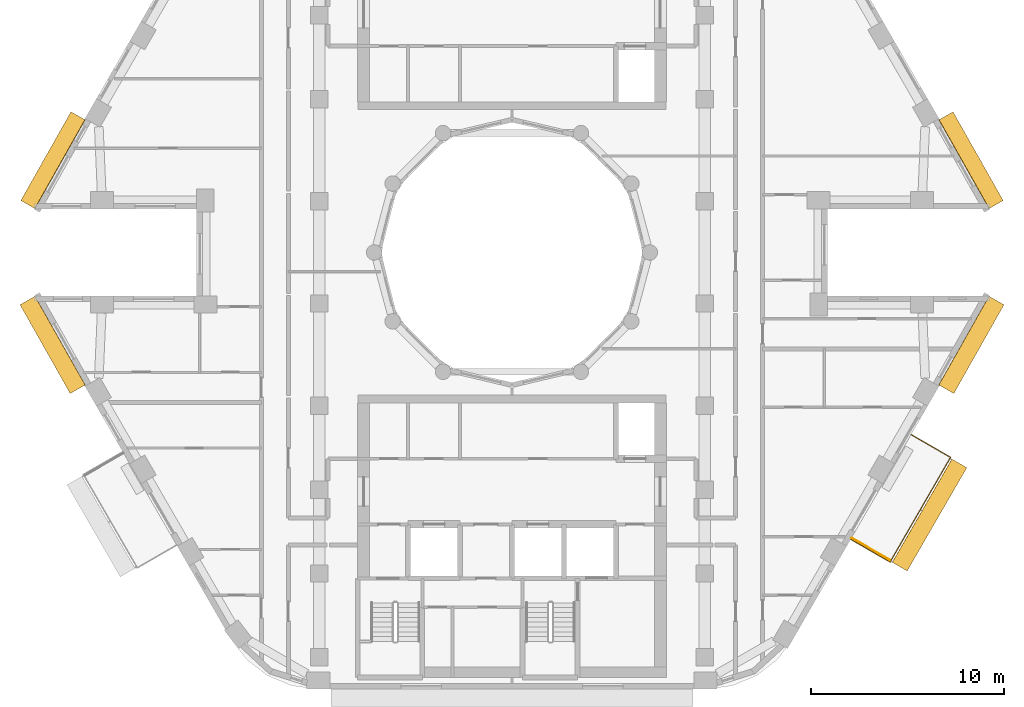
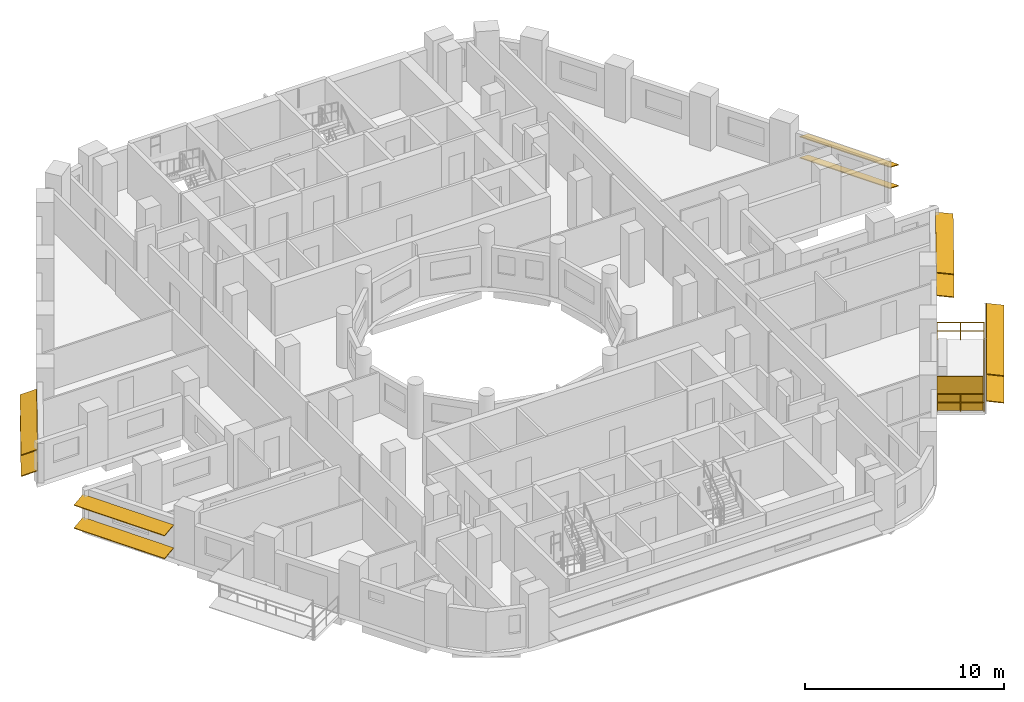
# One storey, part 14 of 15: 11 shading devices, 1 railing.
"""IFC4 building model written with IfcOpenShell, lengths in metres."""

from ifc_helpers import new_model, si_unit, direction, frame, origin, origin_2d, place, context, subcontext, project, spatial, rectangle, circle, extrude, material, layer, layer_set, material_profile, profile_set, type_object, element, save


model = new_model("IFC4")

# Units and contexts
model_context = context("Model", 3, precision=1e-05, world=origin(), true_north=direction((0.0, 1.0)))
body_context = subcontext(model_context, "Body", "Model", "MODEL_VIEW")
ifc_project = project(units=[si_unit("LENGTHUNIT", "METRE"), si_unit("AREAUNIT", "SQUARE_METRE"), si_unit("VOLUMEUNIT", "CUBIC_METRE"), si_unit("PLANEANGLEUNIT", "RADIAN"), si_unit("MASSUNIT", "GRAM", prefix="KILO")], contexts=[model_context])

# Site, building, storey
site_placement = place(None, origin())
site = spatial("IfcSite", under=ifc_project, at=site_placement, CompositionType="ELEMENT")
building_placement = place(site_placement, origin())
building = spatial("IfcBuilding", under=site, at=building_placement, Name="Nakaniwa Court", CompositionType="ELEMENT")
storey_placement = place(building_placement, frame((0.0, 0.0, 189.89990234375)))
storey = spatial("IfcBuildingStorey", under=building, at=storey_placement, Name="L49", CompositionType="ELEMENT", Elevation=189.89990234375)

# Railing
ifc_material_1 = material(Name="Black powder-coated steel flat bar balustrade S275", Category="steel")
railing_type = type_object("IfcRailingType", Name="Black metal balcony guard 1100", PredefinedType="GUARDRAIL", material=ifc_material_1)
railing_placement = place(storey_placement, frame((97.566162109375, 65.12548828125, -0.0498046875)))
element("IfcRailing", 1, at=railing_placement, inside=storey, type_object=railing_type, Name="L49 balcony guard 02", PredefinedType="GUARDRAIL", context=body_context, shape_type="SweptSolid", body=[
    extrude(circle(Radius=0.02392578125, at=origin_2d()), frame((0.0, 0.0, 1.076171875), z_axis=(0.865980564943, -0.500077655111, 0.0), x_axis=(0.500077655111, 0.865980564943, 0.0)), (0.0, 0.0, 1.0), 2.35986328125),
    extrude(circle(Radius=0.02392578125, at=origin_2d()), frame((0.0, 0.0, 0.550048828125), z_axis=(0.865980564943, -0.500077655111, 0.0), x_axis=(0.500077655111, 0.865980564943, 0.0)), (0.0, 0.0, 1.0), 2.35986328125),
    extrude(circle(Radius=0.02392578125, at=origin_2d()), frame((2.043701171875, -1.18017578125, 1.076171875), z_axis=(0.500023755625, 0.866011688033, 0.0), x_axis=(-0.866011688033, 0.500023755625, 0.0)), (0.0, 0.0, 1.0), 6.265869140625),
    extrude(circle(Radius=0.02392578125, at=origin_2d()), frame((2.043701171875, -1.18017578125, 0.550048828125), z_axis=(0.500023755625, 0.866011688033, 0.0), x_axis=(-0.866011688033, 0.500023755625, 0.0)), (0.0, 0.0, 1.0), 6.265869140625),
    extrude(circle(Radius=0.02392578125, at=origin_2d()), frame((5.1767578125, 4.24609375, 1.076171875), z_axis=(-0.865980564943, 0.500077655111, 0.0), x_axis=(-0.500077655111, -0.865980564943, 0.0)), (0.0, 0.0, 1.0), 2.35986328125),
    extrude(circle(Radius=0.02392578125, at=origin_2d()), frame((5.1767578125, 4.24609375, 0.550048828125), z_axis=(-0.865980564943, 0.500077655111, 0.0), x_axis=(-0.500077655111, -0.865980564943, 0.0)), (0.0, 0.0, 1.0), 2.35986328125),
    extrude(circle(Radius=0.02099609375, at=origin_2d()), origin(), (0.0, 0.0, 1.0), 1.052001953125),
    extrude(circle(Radius=0.02099609375, at=origin_2d()), frame((1.02197265625, -0.590087890625, 0.0)), (0.0, 0.0, 1.0), 1.052001953125),
    extrude(circle(Radius=0.02099609375, at=origin_2d()), frame((2.043701171875, -1.18017578125, 0.0)), (0.0, 0.0, 1.0), 1.052001953125),
    extrude(circle(Radius=0.02099609375, at=origin_2d()), frame((2.56591796875, -0.27587890625, 0.0)), (0.0, 0.0, 1.0), 1.052001953125),
    extrude(circle(Radius=0.02099609375, at=origin_2d()), frame((3.088134765625, 0.628662109375, 0.0)), (0.0, 0.0, 1.0), 1.052001953125),
    extrude(circle(Radius=0.02099609375, at=origin_2d()), frame((3.6103515625, 1.532958984375, 0.0)), (0.0, 0.0, 1.0), 1.052001953125),
    extrude(circle(Radius=0.02099609375, at=origin_2d()), frame((4.13232421875, 2.437255859375, 0.0)), (0.0, 0.0, 1.0), 1.052001953125),
    extrude(circle(Radius=0.02099609375, at=origin_2d()), frame((4.654541015625, 3.341796875, 0.0)), (0.0, 0.0, 1.0), 1.052001953125),
    extrude(circle(Radius=0.02099609375, at=origin_2d()), frame((5.1767578125, 4.24609375, 0.0)), (0.0, 0.0, 1.0), 1.052001953125),
    extrude(circle(Radius=0.02099609375, at=origin_2d()), frame((4.15478515625, 4.836181640625, 0.0)), (0.0, 0.0, 1.0), 1.052001953125),
    extrude(circle(Radius=0.02099609375, at=origin_2d()), frame((3.133056640625, 5.42626953125, 0.0)), (0.0, 0.0, 1.0), 1.052001953125),
])

# Shading devices
ifc_material_2 = material(Name="Black powder-coated aluminium slat screen", Category="aluminium")
ifc_layer = layer(ifc_material_2, 0.0400390625)
ifc_layer_set = layer_set([ifc_layer], Name="Black powder-coated aluminium slat screen")
shading_device_type_1 = type_object("IfcShadingDeviceType", Name="Koshi screen black metal", PredefinedType="USERDEFINED", material=ifc_layer_set)
shading_device_placement = place(storey_placement, frame((98.606201171875, 64.6171875, -0.050048828125), z_axis=(0.0, 0.0, 1.0), x_axis=(0.500016626402, 0.866015804314, 0.0)))
element("IfcShadingDevice", 2, at=shading_device_placement, inside=storey, type_object=shading_device_type_1, Name="L49 balcony SCREEN 02 W", ObjectType="KOSHI SCREEN", PredefinedType="USERDEFINED", context=body_context, shape_type="SweptSolid", body=[
    extrude(rectangle(XDim=0.0400390625, YDim=2.31005859375, at=origin_2d()), origin(), (0.0, 0.0, 1.0), 2.10009765625),
])
ifc_material_3 = material(Name="Perforated charcoal ceramic louvre blade")
ifc_material_profile = material_profile(ifc_material_3, rectangle(XDim=0.89990234375, YDim=0.050048828125, at=origin_2d()), Name="Perforated ceramic louvre blade")
ifc_profile_set = profile_set([ifc_material_profile], Name="Perforated charcoal ceramic louvre blade")
shading_device_type_2 = type_object("IfcShadingDeviceType", Name="Perforated ceramic louvre blade", PredefinedType="JALOUSIE", material=ifc_profile_set)
for number, where, z_axis, x_axis, name in (
    (3, (100.105712890625, 63.705322265625, 0.5), (0.5000060101, 0.866021933824, 0.0), (-0.858612996127, 0.495728389369, 0.13052619222), "L49 perforated ceramic louvre blade 02 1"),
    (4, (100.105712890625, 63.705322265625, 2.150146484375), (0.5000060101, 0.866021933824, 0.0), (-0.858612996127, 0.495728389369, 0.13052619222), "L49 perforated ceramic louvre blade 02 2"),
):
    element("IfcShadingDevice", number, at=place(storey_placement, frame(where, z_axis=z_axis, x_axis=x_axis)), inside=storey, type_object=shading_device_type_2, Name=name, PredefinedType="JALOUSIE", context=body_context, shape_type="SweptSolid", body=[
        extrude(rectangle(XDim=0.89990234375, YDim=0.050048828125, at=origin_2d()), origin(), (0.0, 0.0, 1.0), 6.18603515625),
    ])
for number, where, z_axis, x_axis, name in (
    (5, (105.103759765625, 82.480224609375, 0.550048828125), (-0.492005517921, 0.870592080331, 0.0), (-0.804902454764, -0.454881750109, 0.38107037635), "L49 perforated ceramic louvre blade w02 1"),
    (6, (105.103759765625, 82.480224609375, 1.845458984375), (-0.492005517921, 0.870592080331, 0.0), (-0.804902454764, -0.454881750109, 0.38107037635), "L49 perforated ceramic louvre blade w02 2"),
    (7, (57.497314453125, 87.082763671875, 0.550048828125), (-0.492005517921, -0.870592080331, 0.0), (0.804902454764, -0.454881750109, 0.38107037635), "L49 perforated ceramic louvre blade w14 1"),
    (8, (57.497314453125, 87.082763671875, 1.845458984375), (-0.492005517921, -0.870592080331, 0.0), (0.804902454764, -0.454881750109, 0.38107037635), "L49 perforated ceramic louvre blade w14 2"),
):
    element("IfcShadingDevice", number, at=place(storey_placement, frame(where, z_axis=z_axis, x_axis=x_axis)), inside=storey, type_object=shading_device_type_2, Name=name, PredefinedType="JALOUSIE", context=body_context, shape_type="SweptSolid", body=[
        extrude(rectangle(XDim=0.89990234375, YDim=0.050048828125, at=origin_2d()), origin(), (0.0, 0.0, 1.0), 5.28662109375),
    ])
for number, where, z_axis, x_axis, name in (
    (9, (54.87548828125, 77.508056640625, 0.550048828125), (0.492040518232, -0.870572299363, 0.0), (0.862924792041, 0.487718208105, 0.132256390257), "L49 perforated ceramic louvre blade w20 1"),
    (10, (54.87548828125, 77.508056640625, 1.955810546875), (0.492040518232, -0.870572299363, 0.0), (0.862924792041, 0.487718208105, 0.132256390257), "L49 perforated ceramic louvre blade w20 2"),
    (11, (102.523193359375, 72.905517578125, 0.550048828125), (0.492040518232, 0.870572299363, 0.0), (-0.862924792041, 0.487718208105, 0.132256390257), "L49 perforated ceramic louvre blade w32 1"),
    (12, (102.523193359375, 72.905517578125, 1.955810546875), (0.492040518232, 0.870572299363, 0.0), (-0.862924792041, 0.487718208105, 0.132256390257), "L49 perforated ceramic louvre blade w32 2"),
):
    element("IfcShadingDevice", number, at=place(storey_placement, frame(where, z_axis=z_axis, x_axis=x_axis)), inside=storey, type_object=shading_device_type_2, Name=name, PredefinedType="JALOUSIE", context=body_context, shape_type="SweptSolid", body=[
        extrude(rectangle(XDim=0.89990234375, YDim=0.050048828125, at=origin_2d()), origin(), (0.0, 0.0, 1.0), 5.286865234375),
    ])

save(model, "model.ifc")
